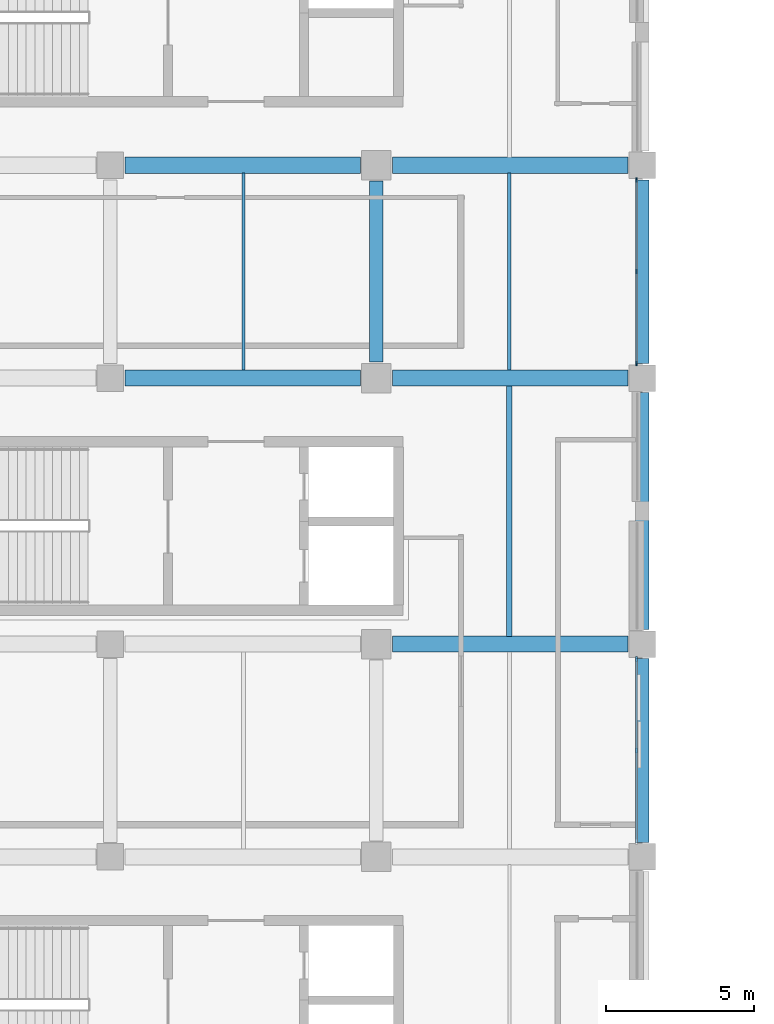
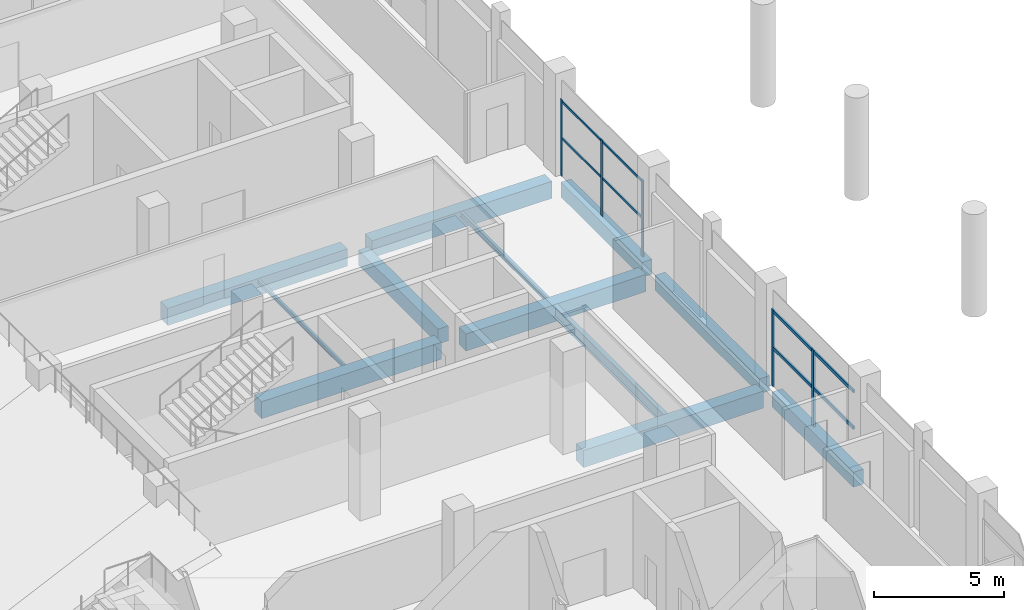
# One storey, part 25 of 100: 12 beams, 9 members, 2 elements without a shape of their own.
"""IFC4 building model written with IfcOpenShell, lengths in metres."""

from ifc_helpers import new_model, si_unit, direction, frame, origin, origin_2d, place, context, subcontext, project, spatial, rectangle, i_section, extrude, material, material_profile, profile_set, type_object, element, aggregate, save


model = new_model("IFC4")

# Units and contexts
model_context = context("Model", 3, precision=1e-05, world=origin(), true_north=direction((0.0, 1.0)))
body_context = subcontext(model_context, "Body", "Model", "MODEL_VIEW")
ifc_project = project(units=[si_unit("LENGTHUNIT", "METRE"), si_unit("AREAUNIT", "SQUARE_METRE"), si_unit("VOLUMEUNIT", "CUBIC_METRE"), si_unit("PLANEANGLEUNIT", "RADIAN"), si_unit("MASSUNIT", "GRAM", prefix="KILO"), si_unit("THERMODYNAMICTEMPERATUREUNIT", "KELVIN"), si_unit("POWERUNIT", "WATT")], contexts=[model_context])

# Site, building, storey
site_placement = place(None, origin())
site = spatial("IfcSite", under=ifc_project, at=site_placement, CompositionType="ELEMENT")
building_placement = place(site_placement, origin())
building = spatial("IfcBuilding", under=site, at=building_placement, Name="Sindhuravela Promenade Stadium", CompositionType="ELEMENT")
storey_placement = place(building_placement, frame((0.0, 0.0, 4.800048828125)))
storey = spatial("IfcBuildingStorey", under=building, at=storey_placement, Name="L01", CompositionType="ELEMENT", Elevation=4.800048828125)

# Curtain wall, members
ifc_material_1 = material(Name="Anodised architectural aluminium 6063-T6", Category="aluminium")
curtain_wall_type_1 = type_object("IfcCurtainWallType", Name="CW-MOD-3", PredefinedType="NOTDEFINED", material=ifc_material_1)
curtain_wall_1_placement = place(storey_placement, origin())
curtain_wall_1 = element("IfcCurtainWall", 1, at=curtain_wall_1_placement, inside=storey, type_object=curtain_wall_type_1, Name="Bronze curtain wall CW-EAST-L01-090", PredefinedType="NOTDEFINED")
ifc_material_profile_1 = material_profile(ifc_material_1, rectangle(XDim=0.074951171875, YDim=0.175048828125, at=origin_2d()), Name="ALU MULL 75x175")
ifc_profile_set_1 = profile_set([ifc_material_profile_1], Name="Anodised architectural aluminium 6063-T6")
member_type_1 = type_object("IfcMemberType", Name="CW-MUL-1", PredefinedType="MULLION", material=ifc_profile_set_1)
member_1_placement = place(storey_placement, frame((206.800048828125, 67.89990234375, 0.0), z_axis=(0.0, 0.0, 1.0), x_axis=(1.0, 0.0, 0.0)))
member_1 = element("IfcMember", 2, at=member_1_placement, type_object=member_type_1, Name="Curtain wall mullion CW-EAST-L01-090-M1", PredefinedType="MULLION", context=body_context, shape_type="SweptSolid", body=[
    extrude(rectangle(XDim=0.074951171875, YDim=0.175048828125, at=origin_2d()), origin(), (0.0, 0.0, 1.0), 3.579833984375),
])
member_2_placement = place(storey_placement, frame((206.800048828125, 64.800048828125, 0.0), z_axis=(0.0, 0.0, 1.0), x_axis=(1.0, 0.0, 0.0)))
member_2 = element("IfcMember", 3, at=member_2_placement, type_object=member_type_1, Name="Curtain wall mullion CW-EAST-L01-090-M2", PredefinedType="MULLION", context=body_context, shape_type="SweptSolid", body=[
    extrude(rectangle(XDim=0.074951171875, YDim=0.175048828125, at=origin_2d()), origin(), (0.0, 0.0, 1.0), 3.579833984375),
])

curtain_wall_type_2 = type_object("IfcCurtainWallType", Name="CW-MOD-2", PredefinedType="NOTDEFINED", material=ifc_material_1)
curtain_wall_2_placement = place(storey_placement, origin())
curtain_wall_2 = element("IfcCurtainWall", 4, at=curtain_wall_2_placement, inside=storey, type_object=curtain_wall_type_2, Name="Bronze curtain wall CW-EAST-L01-089", PredefinedType="NOTDEFINED")
ifc_material_profile_2 = material_profile(ifc_material_1, rectangle(XDim=0.054931640625, YDim=0.14990234375, at=origin_2d()), Name="ALU M55x150")
ifc_profile_set_2 = profile_set([ifc_material_profile_2], Name="Anodised architectural aluminium 6063-T6")
member_type_2 = type_object("IfcMemberType", Name="CW-MUL-6", PredefinedType="MULLION", material=ifc_profile_set_2)
member_3_placement = place(storey_placement, frame((206.800048828125, 84.10009765625, 0.0), z_axis=(0.0, 0.0, 1.0), x_axis=(1.0, 0.0, 0.0)))
member_3 = element("IfcMember", 5, at=member_3_placement, type_object=member_type_2, Name="Curtain wall mullion CW-EAST-L01-089-M1", PredefinedType="MULLION", context=body_context, shape_type="SweptSolid", body=[
    extrude(rectangle(XDim=0.054931640625, YDim=0.14990234375, at=origin_2d()), origin(), (0.0, 0.0, 1.0), 3.579833984375),
])
member_4_placement = place(storey_placement, frame((206.800048828125, 81.0, 0.0), z_axis=(0.0, 0.0, 1.0), x_axis=(1.0, 0.0, 0.0)))
member_4 = element("IfcMember", 6, at=member_4_placement, type_object=member_type_2, Name="Curtain wall mullion CW-EAST-L01-089-M2", PredefinedType="MULLION", context=body_context, shape_type="SweptSolid", body=[
    extrude(rectangle(XDim=0.054931640625, YDim=0.14990234375, at=origin_2d()), origin(), (0.0, 0.0, 1.0), 3.579833984375),
])
member_5_placement = place(storey_placement, frame((206.800048828125, 77.89990234375, 0.0), z_axis=(0.0, 0.0, 1.0), x_axis=(1.0, 0.0, 0.0)))
member_5 = element("IfcMember", 7, at=member_5_placement, type_object=member_type_2, Name="Curtain wall mullion CW-EAST-L01-089-M3", PredefinedType="MULLION", context=body_context, shape_type="SweptSolid", body=[
    extrude(rectangle(XDim=0.054931640625, YDim=0.14990234375, at=origin_2d()), origin(), (0.0, 0.0, 1.0), 3.579833984375),
])

# Member
ifc_material_profile_3 = material_profile(ifc_material_1, rectangle(XDim=0.074951171875, YDim=0.14990234375, at=origin_2d()), Name="ALU TRAN 75x150")
ifc_profile_set_3 = profile_set([ifc_material_profile_3], Name="Anodised architectural aluminium 6063-T6")
member_type_3 = type_object("IfcMemberType", Name="CW-TRN-1", PredefinedType="USERDEFINED", material=ifc_profile_set_3)
member_6_placement = place(storey_placement, frame((206.800048828125, 67.925048828125, 1.7900390625), z_axis=(0.0, -1.0, 0.0), x_axis=(1.0, 0.0, 0.0)))
member_6 = element("IfcMember", 8, at=member_6_placement, type_object=member_type_3, Name="Curtain wall transom CW-EAST-L01-090-T1", ObjectType="TRANSOM", PredefinedType="USERDEFINED", context=body_context, shape_type="SweptSolid", body=[
    extrude(rectangle(XDim=0.074951171875, YDim=0.14990234375, at=origin_2d()), origin(), (0.0, 0.0, 1.0), 6.25),
])

member_7_placement = place(storey_placement, frame((206.800048828125, 67.925048828125, 3.5), z_axis=(0.0, -1.0, 0.0), x_axis=(1.0, 0.0, 0.0)))
member_7 = element("IfcMember", 9, at=member_7_placement, type_object=member_type_3, Name="Curtain wall transom CW-EAST-L01-090-T2", ObjectType="TRANSOM", PredefinedType="USERDEFINED", context=body_context, shape_type="SweptSolid", body=[
    extrude(rectangle(XDim=0.074951171875, YDim=0.14990234375, at=origin_2d()), origin(), (0.0, 0.0, 1.0), 6.25),
])

aggregate(curtain_wall_1, [member_1, member_2, member_6, member_7])

ifc_material_profile_4 = material_profile(ifc_material_1, rectangle(XDim=0.054931640625, YDim=0.10498046875, at=origin_2d()), Name="ALU T55x105")
ifc_profile_set_4 = profile_set([ifc_material_profile_4], Name="Anodised architectural aluminium 6063-T6")
member_type_4 = type_object("IfcMemberType", Name="CW-TRN-6", PredefinedType="USERDEFINED", material=ifc_profile_set_4)
member_8_placement = place(storey_placement, frame((206.800048828125, 84.125, 1.7900390625), z_axis=(0.0, -1.0, 0.0), x_axis=(1.0, 0.0, 0.0)))
member_8 = element("IfcMember", 10, at=member_8_placement, type_object=member_type_4, Name="Curtain wall transom CW-EAST-L01-089-T1", ObjectType="TRANSOM", PredefinedType="USERDEFINED", context=body_context, shape_type="SweptSolid", body=[
    extrude(rectangle(XDim=0.054931640625, YDim=0.10498046875, at=origin_2d()), origin(), (0.0, 0.0, 1.0), 6.25),
])

member_9_placement = place(storey_placement, frame((206.800048828125, 84.125, 3.5), z_axis=(0.0, -1.0, 0.0), x_axis=(1.0, 0.0, 0.0)))
member_9 = element("IfcMember", 11, at=member_9_placement, type_object=member_type_4, Name="Curtain wall transom CW-EAST-L01-089-T2", ObjectType="TRANSOM", PredefinedType="USERDEFINED", context=body_context, shape_type="SweptSolid", body=[
    extrude(rectangle(XDim=0.054931640625, YDim=0.10498046875, at=origin_2d()), origin(), (0.0, 0.0, 1.0), 6.25),
])

aggregate(curtain_wall_2, [member_3, member_4, member_5, member_8, member_9])

# Beams
ifc_material_2 = material(Name="Concrete M40", Category="concrete")
ifc_material_profile_5 = material_profile(ifc_material_2, rectangle(XDim=0.449951171875, YDim=0.699951171875, at=origin_2d()), Name="RC 450x700")
ifc_profile_set_5 = profile_set([ifc_material_profile_5], Name="Concrete M40")
beam_type_1 = type_object("IfcBeamType", Name="RC-BM-450x700", PredefinedType="BEAM", material=ifc_profile_set_5)
beam_1_placement = place(storey_placement, frame((198.0, 77.93994140625, -0.650146484375), z_axis=(0.0, 1.0, 0.0), x_axis=(-1.0, 0.0, 0.0)))
element("IfcBeam", 12, at=beam_1_placement, inside=storey, type_object=beam_type_1, Name="Primary beam GB07 EAST L01", PredefinedType="BEAM", context=body_context, shape_type="SweptSolid", body=[
    extrude(rectangle(XDim=0.449951171875, YDim=0.699951171875, at=origin_2d()), origin(), (0.0, 0.0, 1.0), 6.1201171875),
])
beam_2_placement = place(storey_placement, frame((207.0, 61.68994140625, -0.650146484375), z_axis=(0.0, 1.0, 0.0), x_axis=(-1.0, 0.0, 0.0)))
element("IfcBeam", 13, at=beam_2_placement, inside=storey, type_object=beam_type_1, Name="Primary beam GB07 EAST L01", PredefinedType="BEAM", context=body_context, shape_type="SweptSolid", body=[
    extrude(rectangle(XDim=0.449951171875, YDim=0.699951171875, at=origin_2d()), origin(), (0.0, 0.0, 1.0), 6.219970703125),
])
beam_3_placement = place(storey_placement, frame((207.0, 68.889892578125, -0.650146484375), z_axis=(0.0, 1.0, 0.0), x_axis=(-1.0, 0.0, 0.0)))
element("IfcBeam", 14, at=beam_3_placement, inside=storey, type_object=beam_type_1, Name="Primary beam GB07 EAST L01", PredefinedType="BEAM", context=body_context, shape_type="SweptSolid", body=[
    extrude(rectangle(XDim=0.449951171875, YDim=0.699951171875, at=origin_2d()), origin(), (0.0, 0.0, 1.0), 8.02001953125),
])
beam_4_placement = place(storey_placement, frame((207.0, 77.889892578125, -0.650146484375), z_axis=(0.0, 1.0, 0.0), x_axis=(-1.0, 0.0, 0.0)))
element("IfcBeam", 15, at=beam_4_placement, inside=storey, type_object=beam_type_1, Name="Primary beam GB07 EAST L01", PredefinedType="BEAM", context=body_context, shape_type="SweptSolid", body=[
    extrude(rectangle(XDim=0.449951171875, YDim=0.699951171875, at=origin_2d()), origin(), (0.0, 0.0, 1.0), 6.22021484375),
])
ifc_material_profile_6 = material_profile(ifc_material_2, rectangle(XDim=0.550048828125, YDim=0.800048828125, at=origin_2d()), Name="RC 550x800")
ifc_profile_set_6 = profile_set([ifc_material_profile_6], Name="Concrete M40")
beam_type_2 = type_object("IfcBeamType", Name="RC-BM-550x800", PredefinedType="BEAM", material=ifc_profile_set_6)
for number, where, z_axis, x_axis, name in (
    (16, (198.5400390625, 68.39990234375, -0.699951171875), (1.0, 0.0, 0.0), (0.0, 1.0, 0.0), "Primary girder GB05 EAST L01"),
    (17, (189.489990234375, 77.39990234375, -0.699951171875), (1.0, 0.0, 0.0), (0.0, 1.0, 0.0), "Primary girder GB05 EAST L01"),
    (18, (198.5400390625, 77.39990234375, -0.699951171875), (1.0, 0.0, 0.0), (0.0, 1.0, 0.0), "Primary girder GB05 EAST L01"),
    (19, (189.489990234375, 84.60009765625, -0.699951171875), (1.0, 0.0, 0.0), (0.0, 1.0, 0.0), "Primary girder GB05 EAST L01"),
    (20, (198.5400390625, 84.60009765625, -0.699951171875), (1.0, 0.0, 0.0), (0.0, 1.0, 0.0), "Primary girder GB05 EAST L01"),
):
    element("IfcBeam", number, at=place(storey_placement, frame(where, z_axis=z_axis, x_axis=x_axis)), inside=storey, type_object=beam_type_2, Name=name, PredefinedType="BEAM", context=body_context, shape_type="SweptSolid", body=[
        extrude(rectangle(XDim=0.550048828125, YDim=0.800048828125, at=origin_2d()), origin(), (0.0, 0.0, 1.0), 7.969970703125),
    ])
ifc_material_3 = material(Name="Steel E350 (IS 2062 E350BR)", Category="steel")
ifc_material_profile_7 = material_profile(ifc_material_3, i_section(OverallWidth=0.10009765625, OverallDepth=0.199951171875, WebThickness=0.005615234375, FlangeThickness=0.0107421875, FilletRadius=0.010986328125, at=origin_2d()), Name="ISMB 200")
ifc_profile_set_7 = profile_set([ifc_material_profile_7], Name="Steel E350 (IS 2062 E350BR)")
beam_type_3 = type_object("IfcBeamType", Name="ST-BM-MB200", PredefinedType="JOIST", material=ifc_profile_set_7)
beam_5_placement = place(storey_placement, frame((193.5, 77.6650390625, -0.400146484375), z_axis=(0.0, 1.0, 0.0), x_axis=(-1.0, 0.0, 0.0)))
element("IfcBeam", 21, at=beam_5_placement, inside=storey, type_object=beam_type_3, Name="Secondary floor joist SB01 EAST L01", PredefinedType="JOIST", context=body_context, shape_type="SweptSolid", body=[
    extrude(i_section(OverallWidth=0.10009765625, OverallDepth=0.199951171875, WebThickness=0.005615234375, FlangeThickness=0.0107421875, FilletRadius=0.010986328125, at=origin_2d()), origin(), (0.0, 0.0, 1.0), 6.669921875),
])
ifc_material_profile_8 = material_profile(ifc_material_3, i_section(OverallWidth=0.125, OverallDepth=0.25, WebThickness=0.0068359375, FlangeThickness=0.012451171875, FilletRadius=0.012939453125, at=origin_2d()), Name="ISMB 250")
ifc_profile_set_8 = profile_set([ifc_material_profile_8], Name="Steel E350 (IS 2062 E350BR)")
beam_type_4 = type_object("IfcBeamType", Name="ST-BM-MB250", PredefinedType="JOIST", material=ifc_profile_set_8)
beam_6_placement = place(storey_placement, frame((202.5, 77.6650390625, -0.425048828125), z_axis=(0.0, 1.0, 0.0), x_axis=(-1.0, 0.0, 0.0)))
element("IfcBeam", 22, at=beam_6_placement, inside=storey, type_object=beam_type_4, Name="Secondary floor joist SB02 EAST L01", PredefinedType="JOIST", context=body_context, shape_type="SweptSolid", body=[
    extrude(i_section(OverallWidth=0.125, OverallDepth=0.25, WebThickness=0.0068359375, FlangeThickness=0.012451171875, FilletRadius=0.012939453125, at=origin_2d()), origin(), (0.0, 0.0, 1.0), 6.669921875),
])
ifc_material_profile_9 = material_profile(ifc_material_3, i_section(OverallWidth=0.18994140625, OverallDepth=0.550048828125, WebThickness=0.01123046875, FlangeThickness=0.019287109375, FilletRadius=0.01806640625, at=origin_2d()), Name="ISMB 550")
ifc_profile_set_9 = profile_set([ifc_material_profile_9], Name="Steel E350 (IS 2062 E350BR)")
beam_type_5 = type_object("IfcBeamType", Name="ST-BM-MB550", PredefinedType="SPANDREL", material=ifc_profile_set_9)
beam_7_placement = place(storey_placement, frame((202.5, 68.6650390625, -0.574951171875), z_axis=(0.0, 1.0, 0.0), x_axis=(-1.0, 0.0, 0.0)))
element("IfcBeam", 23, at=beam_7_placement, inside=storey, type_object=beam_type_5, Name="Secondary floor joist SB08 EAST L01", PredefinedType="SPANDREL", context=body_context, shape_type="SweptSolid", body=[
    extrude(i_section(OverallWidth=0.18994140625, OverallDepth=0.550048828125, WebThickness=0.01123046875, FlangeThickness=0.019287109375, FilletRadius=0.01806640625, at=origin_2d()), origin(), (0.0, 0.0, 1.0), 8.469970703125),
])

save(model, "model.ifc")
